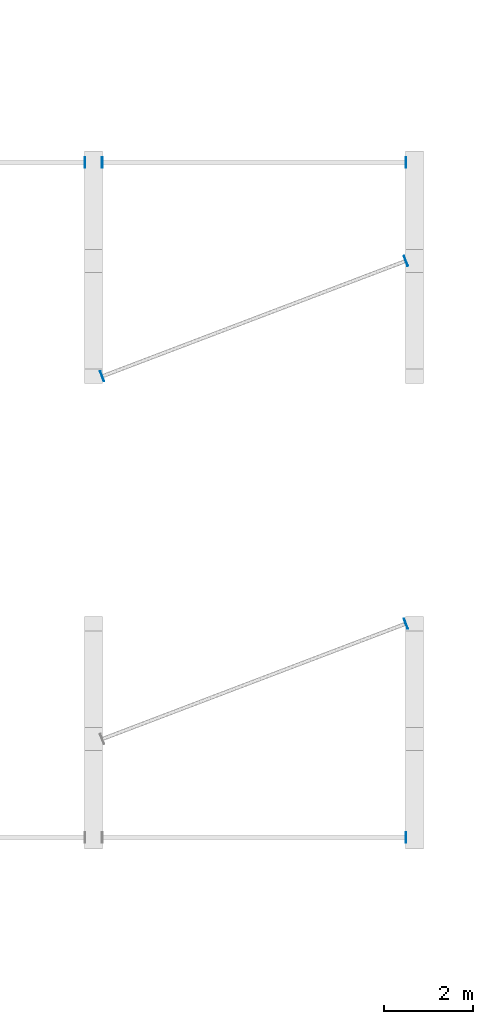
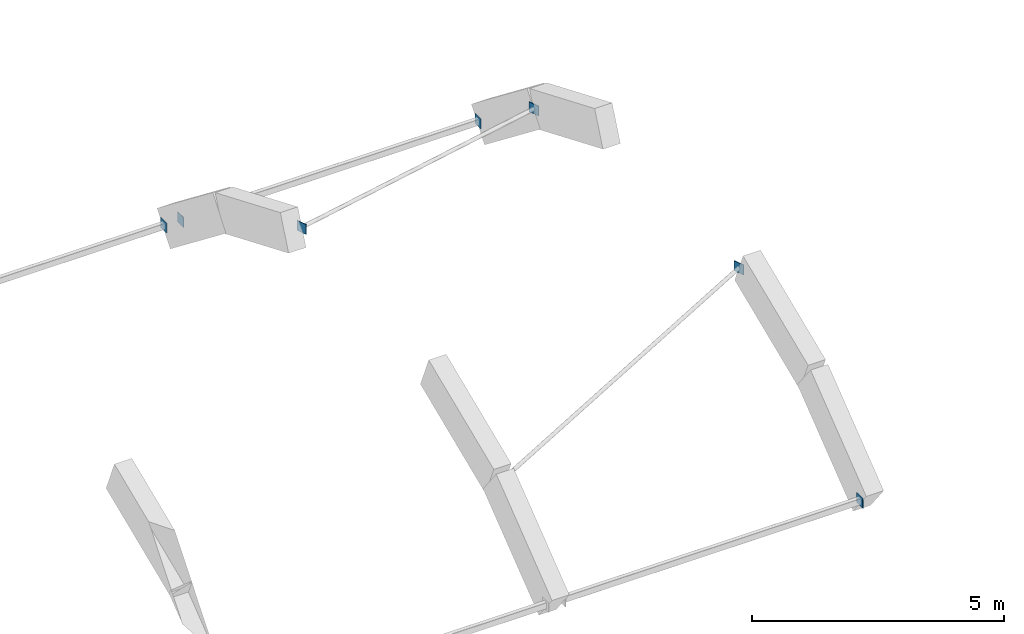
# One storey, part 30 of 64: 7 plates.
"""IFC4 building model written with IfcOpenShell, lengths in metres."""

import ifcopenshell
import ifcopenshell.guid

model = None  # the IFC model being written
_history = None  # IfcOwnerHistory: only IFC2X3 demands one
_inside = {}  # id of a spatial element -> (the spatial element, [elements in it])
_under = {}  # id of a project, library or spatial element -> (it, [spatial elements below it])
_declared = {}  # id of a project -> (the project, [libraries it declares])
_typed = {}  # id of a type object -> (the type object, [elements of that type])
_made_of = {}  # id of a material, layer set ... -> (it, [elements and type objects made of it])


def new_model(schema):
    """Start an empty IFC model of exactly this schema.

    Asked for "IFC4X3", IfcOpenShell would pick the latest addendum, in which some entities
    have other attributes; the version numbers below select the first issue.
    IFC2X3 requires an IfcOwnerHistory on every rooted entity: one is made here for all.
    """
    global model, _history
    if schema == "IFC4X3":
        model = ifcopenshell.file(schema_version=(4, 3, 0, 0))
    else:
        model = ifcopenshell.file(schema=schema)
    _inside.clear()
    _under.clear()
    _declared.clear()
    _typed.clear()
    _made_of.clear()
    _history = None
    if model.schema == "IFC2X3":
        org = make("IfcOrganization", Name="unknown")
        user = make(
            "IfcPersonAndOrganization",
            ThePerson=make("IfcPerson", FamilyName="unknown"),
            TheOrganization=org,
        )
        app = make(
            "IfcApplication",
            ApplicationDeveloper=org,
            Version="unknown",
            ApplicationFullName="unknown",
            ApplicationIdentifier="unknown",
        )
        _history = make(
            "IfcOwnerHistory",
            OwningUser=user,
            OwningApplication=app,
            ChangeAction="ADDED",
            CreationDate=0,
        )
    return model


def make(cls, **values):
    """One entity of the class cls with the attributes given. An attribute that is None is left unset."""
    return model.create_entity(
        cls, **{name: value for name, value in values.items() if value is not None}
    )


def rooted(cls, **values):
    """An entity with a GlobalId (a new one), such as an element, a storey or a relation."""
    return make(cls, GlobalId=ifcopenshell.guid.new(), OwnerHistory=_history, **values)


def si_unit(unit_type, name, prefix=None):
    """IfcSIUnit, for example si_unit("LENGTHUNIT", "METRE", prefix="MILLI")."""
    return make("IfcSIUnit", UnitType=unit_type, Prefix=prefix, Name=name)


def assignment(units):
    """IfcUnitAssignment: the units of a project."""
    return None if units is None else make("IfcUnitAssignment", Units=units)


def point(xyz):
    """IfcCartesianPoint."""
    return None if xyz is None else make("IfcCartesianPoint", Coordinates=xyz)


def direction(xyz):
    """IfcDirection."""
    return None if xyz is None else make("IfcDirection", DirectionRatios=xyz)


def frame(location, z_axis=None, x_axis=None):
    """IfcAxis2Placement3D, a coordinate frame: its origin and axes. An axis left out is left unset."""
    return make(
        "IfcAxis2Placement3D",
        Location=point(location),
        Axis=direction(z_axis),
        RefDirection=direction(x_axis),
    )


def frame_2d(location, x_axis=None):
    """IfcAxis2Placement2D, a coordinate frame in the plane: its origin and x axis."""
    return make(
        "IfcAxis2Placement2D", Location=point(location), RefDirection=direction(x_axis)
    )


def origin():
    """The frame at (0, 0, 0) with its axes left unset."""
    return frame((0.0, 0.0, 0.0))


def origin_2d():
    """The frame at (0, 0) in the plane with its x axis left unset."""
    return frame_2d((0.0, 0.0))


def place(relative_to, where):
    """IfcLocalPlacement: puts the frame where relative to a parent placement (None: the world)."""
    return make(
        "IfcLocalPlacement", PlacementRelTo=relative_to, RelativePlacement=where
    )


def context(
    kind, dimensions, precision=None, world=None, true_north=None, identifier=None
):
    """IfcGeometricRepresentationContext, for example the 3D "Model" context."""
    return make(
        "IfcGeometricRepresentationContext",
        ContextIdentifier=identifier,
        ContextType=kind,
        CoordinateSpaceDimension=dimensions,
        Precision=precision,
        WorldCoordinateSystem=world,
        TrueNorth=true_north,
    )


def subcontext(parent, identifier, kind, view, scale=None):
    """IfcGeometricRepresentationSubContext, for example "Body" below "Model"."""
    return make(
        "IfcGeometricRepresentationSubContext",
        ContextIdentifier=identifier,
        ContextType=kind,
        ParentContext=parent,
        TargetScale=scale,
        TargetView=view,
    )


def project(units=None, contexts=None):
    """IfcProject with its units and contexts."""
    return rooted(
        "IfcProject",
        Name="project",
        RepresentationContexts=contexts,
        UnitsInContext=assignment(units),
    )


def spatial(cls, under=None, at=None, **own):
    """A site, building, storey or space (cls), placed at a placement, below another one or the project."""
    s = rooted(cls, ObjectPlacement=at, **own)
    if under is not None:
        _under.setdefault(under.id(), (under, []))[1].append(s)
    return s


def profile(cls, at=None, kind="AREA", **sizes):
    """A parametric profile (cls). Its sizes go by their IFC names, for example OverallWidth=200.0."""
    return make(cls, ProfileType=kind, Position=at, **sizes)


def rectangle(**sizes):
    """IfcRectangleProfileDef."""
    return profile("IfcRectangleProfileDef", **sizes)


def extrude(swept, where, along, depth):
    """IfcExtrudedAreaSolid: the profile swept, set in the frame where, extruded along a direction by depth."""
    return make(
        "IfcExtrudedAreaSolid",
        SweptArea=swept,
        Position=where,
        ExtrudedDirection=direction(along),
        Depth=depth,
    )


def shape(context_of_items, identifier, shape_type, items):
    """IfcShapeRepresentation: the items that make up one representation, for example the "Body"."""
    return make(
        "IfcShapeRepresentation",
        ContextOfItems=context_of_items,
        RepresentationIdentifier=identifier,
        RepresentationType=shape_type,
        Items=items,
    )


def material(Name=None, Category=None):
    """IfcMaterial."""
    return make("IfcMaterial", Name=Name, Category=Category)


def layer(
    of_material, thickness, ventilated=None, Name=None, Category=None, Priority=None
):
    """IfcMaterialLayer: one layer of a wall or slab, of a material (None: an air gap)."""
    return make(
        "IfcMaterialLayer",
        Material=of_material,
        LayerThickness=thickness,
        IsVentilated=ventilated,
        Name=Name,
        Category=Category,
        Priority=Priority,
    )


def layer_set(layers, Name=None):
    """IfcMaterialLayerSet."""
    return make("IfcMaterialLayerSet", MaterialLayers=layers, LayerSetName=Name)


def made_of(thing, what):
    """Note that an element or type object is made of a material, layer set ...; save() writes the relation."""
    if what is not None:
        _made_of.setdefault(what.id(), (what, []))[1].append(thing)
    return thing


def type_object(cls, material=None, **own):
    """A type object (cls), such as IfcWallType, which elements share."""
    return made_of(rooted(cls, **own), material)


def element(
    cls,
    number,
    at=None,
    inside=None,
    cuts=None,
    type_object=None,
    material=None,
    context=None,
    identifier="Body",
    shape_type=None,
    held_by="IfcProductDefinitionShape",
    body=None,
    shapes=None,
    **own,
):
    """One element of the class cls, such as IfcWall. Its Tag is "e" and its number.

    at: its placement. inside: the storey or other place that contains it. cuts: it is an
    opening in that element (IfcRelVoidsElement). A single representation is given by context,
    identifier, shape_type and body (its items); several are given by shapes. held_by: the class
    of the entity that holds the representations. save() writes the other relations.
    """
    e = rooted(cls, Tag="e%d" % number, ObjectPlacement=at, **own)
    if body is not None:
        shapes = [shape(context, identifier, shape_type, body)]
    if shapes is not None:
        e.Representation = make(held_by, Representations=shapes)
    if inside is not None:
        _inside.setdefault(inside.id(), (inside, []))[1].append(e)
    if cuts is not None:
        rooted(
            "IfcRelVoidsElement", RelatingBuildingElement=cuts, RelatedOpeningElement=e
        )
    if type_object is not None:
        _typed.setdefault(type_object.id(), (type_object, []))[1].append(e)
    return made_of(e, material)


def aggregate(whole, parts):
    """IfcRelAggregates: a whole, such as a stair, and the parts it consists of."""
    return rooted("IfcRelAggregates", RelatingObject=whole, RelatedObjects=parts)


def save(model, path):
    """Write the relations noted so far, then the file.

    IfcRelAggregates (storeys below a building ...), IfcRelContainedInSpatialStructure (elements
    in a storey), IfcRelDefinesByType, IfcRelAssociatesMaterial and IfcRelDeclares: one each for
    every whole, place, type object, material and project.
    """
    for whole, parts in _under.values():
        aggregate(whole, parts)
    for where, things in _inside.values():
        rooted(
            "IfcRelContainedInSpatialStructure",
            RelatedElements=things,
            RelatingStructure=where,
        )
    for kind, things in _typed.values():
        rooted("IfcRelDefinesByType", RelatedObjects=things, RelatingType=kind)
    for what, things in _made_of.values():
        rooted("IfcRelAssociatesMaterial", RelatedObjects=things, RelatingMaterial=what)
    for by, libraries in _declared.values():
        rooted("IfcRelDeclares", RelatingContext=by, RelatedDefinitions=libraries)
    model.write(path)


model = new_model("IFC4")

# Units and contexts
model_context = context("Model", 3, precision=1e-05, world=origin(), true_north=direction((0.0, 1.0)))
body_context = subcontext(model_context, "Body", "Model", "MODEL_VIEW")
ifc_project = project(units=[si_unit("LENGTHUNIT", "METRE"), si_unit("AREAUNIT", "SQUARE_METRE"), si_unit("VOLUMEUNIT", "CUBIC_METRE"), si_unit("PLANEANGLEUNIT", "RADIAN"), si_unit("MASSUNIT", "GRAM", prefix="KILO")], contexts=[model_context])

# Site, building, storey
site_placement = place(None, origin())
site = spatial("IfcSite", under=ifc_project, at=site_placement, CompositionType="ELEMENT")
building_placement = place(site_placement, origin())
building = spatial("IfcBuilding", under=site, at=building_placement, Name="Ochrevale Crest", CompositionType="ELEMENT")
storey_placement = place(building_placement, frame((0.0, 0.0, 8.699951171875)))
storey = spatial("IfcBuildingStorey", under=building, at=storey_placement, Name="L02", CompositionType="ELEMENT", Elevation=8.699951171875)

# Plates
ifc_material = material(Name="Steel S355", Category="steel")
ifc_layer = layer(ifc_material, 0.01611328125)
ifc_layer_set = layer_set([ifc_layer], Name="Steel S355")
plate_type = type_object("IfcPlateType", Name="PLT-CAP-16", PredefinedType="USERDEFINED", material=ifc_layer_set)
for number, where, z_axis, x_axis, name in (
    (1, (100.60791015625, 61.57373046875, 0.77294921875), (0.0, 0.0, 1.0), (1.0, 0.0, 0.0), "Vault longitudinal steel purlin B6-8 welded end cap plate CE"),
    (2, (107.80810546875, 46.42626953125, 0.77294921875), (0.0, 0.0, 1.0), (1.0, 0.0, 0.0), "Vault longitudinal steel purlin B7-2 welded end cap plate CE"),
    (3, (100.991943359375, 61.57373046875, 0.77294921875), (0.0, 0.0, 1.0), (1.0, 0.0, 0.0), "Vault longitudinal steel purlin B7-8 welded end cap plate CS"),
    (4, (107.80810546875, 61.57373046875, 0.77294921875), (0.0, 0.0, 1.0), (1.0, 0.0, 0.0), "Vault longitudinal steel purlin B7-8 welded end cap plate CE"),
    (5, (107.807373046875, 51.22509765625, 3.4970703125), (0.0, 0.0, 1.0), (0.934763684301, 0.355270114859, 0.0), "Community Hall vault CHS lateral brace B7-3 welded end cap plate CE"),
    (6, (100.99267578125, 56.77490234375, 3.4970703125), (0.0, 0.0, 1.0), (0.934763684301, 0.355270114859, 0.0), "Community Hall vault CHS lateral brace B7-6 welded end cap plate CS"),
    (7, (107.807373046875, 59.36474609375, 2.412109375), (0.0, 0.0, 1.0), (0.934763684301, 0.355270114859, 0.0), "Community Hall vault CHS lateral brace B7-6 welded end cap plate CE"),
):
    element("IfcPlate", number, at=place(storey_placement, frame(where, z_axis=z_axis, x_axis=x_axis)), inside=storey, type_object=plate_type, Name=name, ObjectType="CAP PLATE", PredefinedType="USERDEFINED", context=body_context, shape_type="SweptSolid", body=[
        extrude(rectangle(XDim=0.01611328125, YDim=0.239990234375, at=origin_2d()), origin(), (0.0, 0.0, 1.0), 0.239990234375),
    ])

save(model, "model.ifc")
